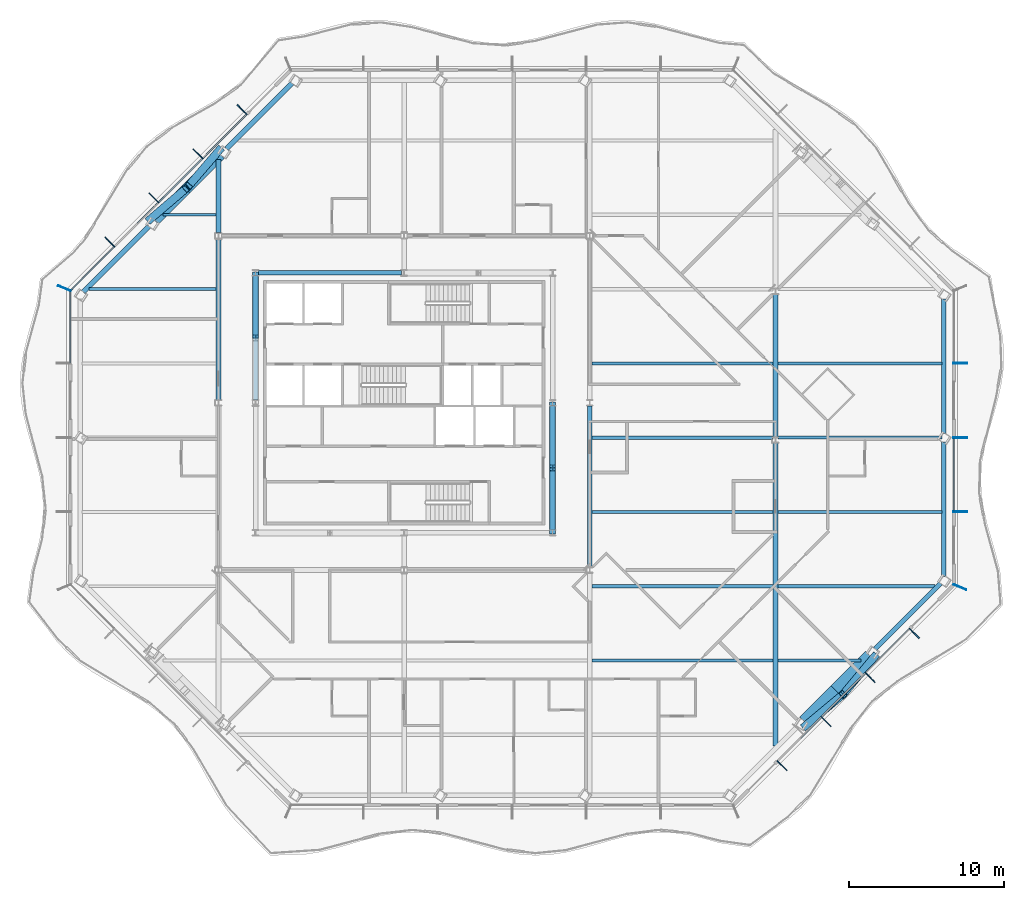
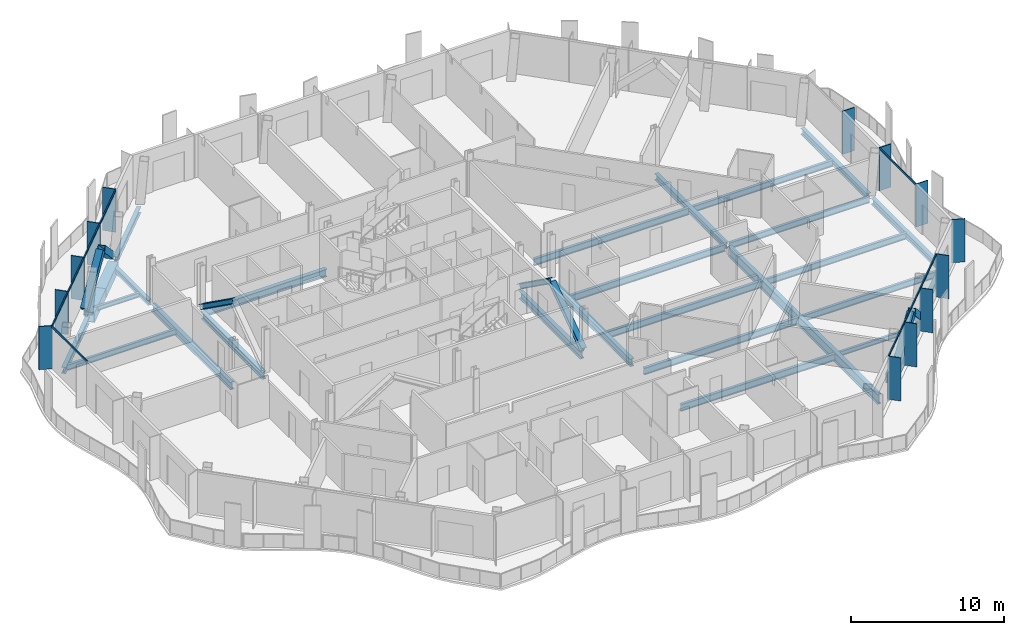
# One storey, part 4 of 19: 29 beams, 29 members, 4 elements without a shape of their own.
"""IFC4 building model written with IfcOpenShell, lengths in metres."""

from ifc_helpers import new_model, si_unit, direction, frame, origin, origin_2d, place, context, subcontext, project, spatial, rectangle, hollow_rectangle, i_section, extrude, material, material_profile, profile_set, type_object, element, aggregate, save


model = new_model("IFC4")

# Units and contexts
model_context = context("Model", 3, precision=1e-05, world=origin(), true_north=direction((0.0, 1.0)))
body_context = subcontext(model_context, "Body", "Model", "MODEL_VIEW")
ifc_project = project(units=[si_unit("LENGTHUNIT", "METRE"), si_unit("AREAUNIT", "SQUARE_METRE"), si_unit("VOLUMEUNIT", "CUBIC_METRE"), si_unit("PLANEANGLEUNIT", "RADIAN"), si_unit("MASSUNIT", "GRAM", prefix="KILO")], contexts=[model_context])

# Site, building, storey
site_placement = place(None, origin())
site = spatial("IfcSite", under=ifc_project, at=site_placement, CompositionType="ELEMENT")
building_placement = place(site_placement, origin())
building = spatial("IfcBuilding", under=site, at=building_placement, Name="Cairn Pilgrim Tower", CompositionType="ELEMENT")
storey_placement = place(building_placement, frame((0.0, 0.0, 197.39990234375)))
storey = spatial("IfcBuildingStorey", under=building, at=storey_placement, Name="L50", CompositionType="ELEMENT", Elevation=197.39990234375)

# Members
ifc_material_1 = material(Name="Structural steel S460M", Category="steel")
ifc_material_profile_1 = material_profile(ifc_material_1, hollow_rectangle(XDim=0.5, YDim=0.5, WallThickness=0.030029296875, at=origin_2d()), Name="BOX 500x500x30")
ifc_profile_set_1 = profile_set([ifc_material_profile_1], Name="Structural steel S460M")
member_type_1 = type_object("IfcMemberType", Name="BOX 500x500x30 BRACE", PredefinedType="BRACE", material=ifc_profile_set_1)
for number, where, z_axis, x_axis, name in (
    (1, (33.091552734375, -18.506103515625, 0.150146484375), (0.583843736735, 0.486305176241, 0.65010288927), (-0.640004756567, 0.768370946595, 0.0), "XB-SE2-SE3-1"),
    (2, (37.631103515625, -13.966552734375, 0.150146484375), (-0.486305176241, -0.583843736735, 0.65010288927), (0.768370946595, -0.640004756567, 0.0), "XB-SE2-SE3-2"),
):
    element("IfcMember", number, at=place(storey_placement, frame(where, z_axis=z_axis, x_axis=x_axis)), inside=storey, type_object=member_type_1, Name=name, PredefinedType="BRACE", context=body_context, shape_type="SweptSolid", body=[
        extrude(hollow_rectangle(XDim=0.5, YDim=0.5, WallThickness=0.030029296875, at=origin_2d()), origin(), (0.0, 0.0, 1.0), 4.22265625),
    ])
member_1_placement = place(storey_placement, frame((-4.705078125, 18.78125, 0.146728515625), z_axis=(-0.494500983909, -0.576967254771, 0.650059661751), x_axis=(0.759284157741, -0.650759224141, 0.0)))
element("IfcMember", 3, at=member_1_placement, inside=storey, type_object=member_type_1, Name="XB-NW2-NW3-1", PredefinedType="BRACE", context=body_context, shape_type="SweptSolid", body=[
    extrude(hollow_rectangle(XDim=0.5, YDim=0.5, WallThickness=0.030029296875, at=origin_2d()), origin(), (0.0, 0.0, 1.0), 4.114990234375),
])
member_2_placement = place(storey_placement, frame((-9.256103515625, 14.23193359375, 0.147216796875), z_axis=(0.577130262659, 0.494225277884, 0.65012463007), x_axis=(-0.650443975555, 0.759554234182, 0.0)))
element("IfcMember", 4, at=member_2_placement, inside=storey, type_object=member_type_1, Name="XB-NW2-NW3-2", PredefinedType="BRACE", context=body_context, shape_type="SweptSolid", body=[
    extrude(hollow_rectangle(XDim=0.5, YDim=0.5, WallThickness=0.030029296875, at=origin_2d()), origin(), (0.0, 0.0, 1.0), 4.114013671875),
])

# Beams
ifc_material_2 = material(Name="Structural steel S355J2", Category="steel")
ifc_material_profile_2 = material_profile(ifc_material_2, hollow_rectangle(XDim=0.699951171875, YDim=0.800048828125, WallThickness=0.0400390625, at=origin_2d()), Name="BOX 700x800x40")
ifc_profile_set_2 = profile_set([ifc_material_profile_2], Name="Structural steel S355J2")
beam_type_1 = type_object("IfcBeamType", Name="BOX 700x800x40 RING GIRDER", PredefinedType="SPANDREL", material=ifc_profile_set_2)
beam_1_placement = place(storey_placement, frame((33.017333984375, -18.134765625, -0.5498046875), z_axis=(0.707149752034, 0.707063807728, 0.0), x_axis=(-0.707063807728, 0.707149752034, 0.0)))
element("IfcBeam", 5, at=beam_1_placement, inside=storey, type_object=beam_type_1, Name="RG2-SE2-SE3-1", PredefinedType="SPANDREL", context=body_context, shape_type="SweptSolid", body=[
    extrude(hollow_rectangle(XDim=0.699951171875, YDim=0.800048828125, WallThickness=0.0400390625, at=origin_2d()), origin(), (0.0, 0.0, 1.0), 2.840576171875),
])
for number, where, z_axis, x_axis, name in (
    (6, (35.026123046875, -16.126220703125, -0.5498046875), (0.707068138304, 0.707145421957, 0.0), (-0.707145421957, 0.707068138304, 0.0), "RG2-SE2-SE3-2"),
    (7, (-4.66748046875, 18.434814453125, -0.5498046875), (-0.707106781187, -0.707106781187, 0.0), (0.707106781187, -0.707106781187, 0.0), "RG2-NW2-NW3-1"),
):
    element("IfcBeam", number, at=place(storey_placement, frame(where, z_axis=z_axis, x_axis=x_axis)), inside=storey, type_object=beam_type_1, Name=name, PredefinedType="SPANDREL", context=body_context, shape_type="SweptSolid", body=[
        extrude(hollow_rectangle(XDim=0.699951171875, YDim=0.800048828125, WallThickness=0.0400390625, at=origin_2d()), origin(), (0.0, 0.0, 1.0), 3.158935546875),
    ])
beam_2_placement = place(storey_placement, frame((-6.901123046875, 16.201171875, -0.5498046875), z_axis=(-0.707106781187, -0.707106781187, 0.0), x_axis=(0.707106781187, -0.707106781187, 0.0)))
element("IfcBeam", 8, at=beam_2_placement, inside=storey, type_object=beam_type_1, Name="RG2-NW2-NW3-2", PredefinedType="SPANDREL", context=body_context, shape_type="SweptSolid", body=[
    extrude(hollow_rectangle(XDim=0.699951171875, YDim=0.800048828125, WallThickness=0.0400390625, at=origin_2d()), origin(), (0.0, 0.0, 1.0), 2.8408203125),
])

# Curtain wall, members
ifc_material_3 = material(Name="Aluminium alloy 6063-T6 bronze anodised with Bronze tinted laminated low-E glass 8+16+8.8", Category="aluminium")
curtain_wall_type_1 = type_object("IfcCurtainWallType", Name="CHAMFER CORNER CURTAIN WALL", PredefinedType="NOTDEFINED", material=ifc_material_3)
curtain_wall_1_placement = place(storey_placement, origin())
curtain_wall_1 = element("IfcCurtainWall", 9, at=curtain_wall_1_placement, inside=storey, type_object=curtain_wall_type_1, Name="Chamfer Corner Curtain Wall SE", PredefinedType="NOTDEFINED")
ifc_material_4 = material(Name="Aluminium alloy 6063-T6 bronze anodised", Category="aluminium")
ifc_material_profile_3 = material_profile(ifc_material_4, rectangle(XDim=0.89990234375, YDim=0.06005859375, at=origin_2d()), Name="FIN MULLION 60x900 BRONZE")
ifc_profile_set_3 = profile_set([ifc_material_profile_3], Name="Aluminium alloy 6063-T6 bronze anodised")
member_type_2 = type_object("IfcMemberType", Name="FIN MULLION 60x900 BRONZE", PredefinedType="MULLION", material=ifc_profile_set_3)
member_3_placement = place(storey_placement, frame((31.619140625, -21.04638671875, 0.0), z_axis=(0.0, 0.0, 1.0), x_axis=(0.707106781187, -0.707106781187, 0.0)))
member_3 = element("IfcMember", 10, at=member_3_placement, type_object=member_type_2, Name="Fin mullion SE2", PredefinedType="MULLION", context=body_context, shape_type="SweptSolid", body=[
    extrude(rectangle(XDim=0.89990234375, YDim=0.06005859375, at=origin_2d()), origin(), (0.0, 0.0, 1.0), 3.4501953125),
])
member_4_placement = place(storey_placement, frame((34.469970703125, -18.195556640625, 0.0), z_axis=(0.0, 0.0, 1.0), x_axis=(0.707106781187, -0.707106781187, 0.0)))
member_4 = element("IfcMember", 11, at=member_4_placement, type_object=member_type_2, Name="Fin mullion SE3", PredefinedType="MULLION", context=body_context, shape_type="SweptSolid", body=[
    extrude(rectangle(XDim=0.89990234375, YDim=0.06005859375, at=origin_2d()), origin(), (0.0, 0.0, 1.0), 3.4501953125),
])
member_5_placement = place(storey_placement, frame((37.320556640625, -15.344970703125, 0.0), z_axis=(0.0, 0.0, 1.0), x_axis=(0.707106781187, -0.707106781187, 0.0)))
member_5 = element("IfcMember", 12, at=member_5_placement, type_object=member_type_2, Name="Fin mullion SE4", PredefinedType="MULLION", context=body_context, shape_type="SweptSolid", body=[
    extrude(rectangle(XDim=0.89990234375, YDim=0.06005859375, at=origin_2d()), origin(), (0.0, 0.0, 1.0), 3.4501953125),
])
member_6_placement = place(storey_placement, frame((40.17138671875, -12.494140625, 0.0), z_axis=(0.0, 0.0, 1.0), x_axis=(0.707106781187, -0.707106781187, 0.0)))
member_6 = element("IfcMember", 13, at=member_6_placement, type_object=member_type_2, Name="Fin mullion SE5", PredefinedType="MULLION", context=body_context, shape_type="SweptSolid", body=[
    extrude(rectangle(XDim=0.89990234375, YDim=0.06005859375, at=origin_2d()), origin(), (0.0, 0.0, 1.0), 3.4501953125),
])

curtain_wall_type_2 = type_object("IfcCurtainWallType", Name="TOWER STICK CURTAIN WALL EW", PredefinedType="NOTDEFINED", material=ifc_material_3)
curtain_wall_2_placement = place(storey_placement, origin())
curtain_wall_2 = element("IfcCurtainWall", 14, at=curtain_wall_2_placement, inside=storey, type_object=curtain_wall_type_2, Name="Tower Stick Curtain Wall Ew E", PredefinedType="NOTDEFINED")
member_7_placement = place(storey_placement, frame((43.113037109375, -9.507080078125, 0.0), z_axis=(0.0, 0.0, 1.0), x_axis=(0.923879532511, -0.382683432365, 0.0)))
member_7 = element("IfcMember", 15, at=member_7_placement, type_object=member_type_2, Name="Fin mullion E1", PredefinedType="MULLION", context=body_context, shape_type="SweptSolid", body=[
    extrude(rectangle(XDim=0.89990234375, YDim=0.06005859375, at=origin_2d()), origin(), (0.0, 0.0, 1.0), 3.4501953125),
])
member_8_placement = place(storey_placement, frame((43.14501953125, -4.64990234375, 0.0), z_axis=(0.0, 0.0, 1.0), x_axis=(1.0, 0.0, 0.0)))
member_8 = element("IfcMember", 16, at=member_8_placement, type_object=member_type_2, Name="Fin mullion E2", PredefinedType="MULLION", context=body_context, shape_type="SweptSolid", body=[
    extrude(rectangle(XDim=0.89990234375, YDim=0.06005859375, at=origin_2d()), origin(), (0.0, 0.0, 1.0), 3.4501953125),
])
member_9_placement = place(storey_placement, frame((43.14501953125, 0.14990234375, 0.0), z_axis=(0.0, 0.0, 1.0), x_axis=(1.0, 0.0, 0.0)))
member_9 = element("IfcMember", 17, at=member_9_placement, type_object=member_type_2, Name="Fin mullion E3", PredefinedType="MULLION", context=body_context, shape_type="SweptSolid", body=[
    extrude(rectangle(XDim=0.89990234375, YDim=0.06005859375, at=origin_2d()), origin(), (0.0, 0.0, 1.0), 3.4501953125),
])
member_10_placement = place(storey_placement, frame((43.14501953125, 4.949951171875, 0.0), z_axis=(0.0, 0.0, 1.0), x_axis=(1.0, 0.0, 0.0)))
member_10 = element("IfcMember", 18, at=member_10_placement, type_object=member_type_2, Name="Fin mullion E4", PredefinedType="MULLION", context=body_context, shape_type="SweptSolid", body=[
    extrude(rectangle(XDim=0.89990234375, YDim=0.06005859375, at=origin_2d()), origin(), (0.0, 0.0, 1.0), 3.4501953125),
])

curtain_wall_3_placement = place(storey_placement, origin())
curtain_wall_3 = element("IfcCurtainWall", 19, at=curtain_wall_3_placement, inside=storey, type_object=curtain_wall_type_1, Name="Chamfer Corner Curtain Wall NW", PredefinedType="NOTDEFINED")
member_11_placement = place(storey_placement, frame((-3.26904296875, 21.34619140625, 0.0), z_axis=(0.0, 0.0, 1.0), x_axis=(-0.707106781187, 0.707106781187, 0.0)))
member_11 = element("IfcMember", 20, at=member_11_placement, type_object=member_type_2, Name="Fin mullion NW2", PredefinedType="MULLION", context=body_context, shape_type="SweptSolid", body=[
    extrude(rectangle(XDim=0.89990234375, YDim=0.06005859375, at=origin_2d()), origin(), (0.0, 0.0, 1.0), 3.4501953125),
])
member_12_placement = place(storey_placement, frame((-6.119873046875, 18.49560546875, 0.0), z_axis=(0.0, 0.0, 1.0), x_axis=(-0.707106781187, 0.707106781187, 0.0)))
member_12 = element("IfcMember", 21, at=member_12_placement, type_object=member_type_2, Name="Fin mullion NW3", PredefinedType="MULLION", context=body_context, shape_type="SweptSolid", body=[
    extrude(rectangle(XDim=0.89990234375, YDim=0.06005859375, at=origin_2d()), origin(), (0.0, 0.0, 1.0), 3.4501953125),
])
member_13_placement = place(storey_placement, frame((-8.970458984375, 15.644775390625, 0.0), z_axis=(0.0, 0.0, 1.0), x_axis=(-0.707106781187, 0.707106781187, 0.0)))
member_13 = element("IfcMember", 22, at=member_13_placement, type_object=member_type_2, Name="Fin mullion NW4", PredefinedType="MULLION", context=body_context, shape_type="SweptSolid", body=[
    extrude(rectangle(XDim=0.89990234375, YDim=0.06005859375, at=origin_2d()), origin(), (0.0, 0.0, 1.0), 3.4501953125),
])
member_14_placement = place(storey_placement, frame((-11.8212890625, 12.794189453125, 0.0), z_axis=(0.0, 0.0, 1.0), x_axis=(-0.707106781187, 0.707106781187, 0.0)))
member_14 = element("IfcMember", 23, at=member_14_placement, type_object=member_type_2, Name="Fin mullion NW5", PredefinedType="MULLION", context=body_context, shape_type="SweptSolid", body=[
    extrude(rectangle(XDim=0.89990234375, YDim=0.06005859375, at=origin_2d()), origin(), (0.0, 0.0, 1.0), 3.4501953125),
])

# Curtain wall, member
curtain_wall_4_placement = place(storey_placement, origin())
curtain_wall_4 = element("IfcCurtainWall", 24, at=curtain_wall_4_placement, inside=storey, type_object=curtain_wall_type_2, Name="Tower Stick Curtain Wall Ew W", PredefinedType="NOTDEFINED")
member_15_placement = place(storey_placement, frame((-14.762939453125, 9.80712890625, 0.0), z_axis=(0.0, 0.0, 1.0), x_axis=(-0.923879532511, 0.382683432365, 0.0)))
member_15 = element("IfcMember", 25, at=member_15_placement, type_object=member_type_2, Name="Fin mullion W1", PredefinedType="MULLION", context=body_context, shape_type="SweptSolid", body=[
    extrude(rectangle(XDim=0.89990234375, YDim=0.06005859375, at=origin_2d()), origin(), (0.0, 0.0, 1.0), 3.4501953125),
])

# Members
ifc_material_profile_4 = material_profile(ifc_material_2, i_section(OverallWidth=0.39794921875, OverallDepth=0.386962890625, WebThickness=0.02099609375, FlangeThickness=0.033203125, FilletRadius=0.014892578125, at=origin_2d()), Name="HD 400x262")
ifc_profile_set_4 = profile_set([ifc_material_profile_4], Name="Structural steel S355J2")
member_type_3 = type_object("IfcMemberType", Name="HD 400x262 BRACE", PredefinedType="BRACE", material=ifc_profile_set_4)
member_16_placement = place(storey_placement, frame((16.800048828125, -5.959716796875, 0.10009765625), z_axis=(0.0, 0.814429122825, 0.580263047155), x_axis=(-1.0, 0.0, 0.0)))
element("IfcMember", 26, at=member_16_placement, inside=storey, type_object=member_type_3, Name="KB-2A", PredefinedType="BRACE", context=body_context, shape_type="SweptSolid", body=[
    extrude(i_section(OverallWidth=0.39794921875, OverallDepth=0.386962890625, WebThickness=0.02099609375, FlangeThickness=0.033203125, FilletRadius=0.014892578125, at=origin_2d()), origin(), (0.0, 0.0, 1.0), 4.999267578125),
])
for number, where, z_axis, x_axis, name in (
    (27, (16.800048828125, 2.359619140625, 0.10009765625), (0.0, -0.814412678688, 0.580286126659), (1.0, 0.0, 0.0), "KB-2B"),
    (28, (-2.39990234375, 10.759521484375, 0.10009765625), (0.0, -0.814412678688, 0.580286126659), (1.0, 0.0, 0.0), "KB-4A"),
):
    element("IfcMember", number, at=place(storey_placement, frame(where, z_axis=z_axis, x_axis=x_axis)), inside=storey, type_object=member_type_3, Name=name, PredefinedType="BRACE", context=body_context, shape_type="SweptSolid", body=[
        extrude(i_section(OverallWidth=0.39794921875, OverallDepth=0.386962890625, WebThickness=0.02099609375, FlangeThickness=0.033203125, FilletRadius=0.014892578125, at=origin_2d()), origin(), (0.0, 0.0, 1.0), 4.9990234375),
    ])

# Beams
ifc_material_profile_5 = material_profile(ifc_material_2, i_section(OverallWidth=0.300048828125, OverallDepth=0.39990234375, WebThickness=0.013427734375, FlangeThickness=0.02392578125, FilletRadius=0.027099609375, at=origin_2d()), Name="HEB 400")
ifc_profile_set_5 = profile_set([ifc_material_profile_5], Name="Structural steel S355J2")
beam_type_2 = type_object("IfcBeamType", Name="HEB 400 GIRDER", PredefinedType="BEAM", material=ifc_profile_set_5)
beam_3_placement = place(storey_placement, frame((-4.800048828125, 13.3994140625, -0.349853515625), z_axis=(0.0, 1.0, 0.0), x_axis=(-1.0, 0.0, 0.0)))
element("IfcBeam", 29, at=beam_3_placement, inside=storey, type_object=beam_type_2, Name="PG2-4", PredefinedType="BEAM", context=body_context, shape_type="SweptSolid", body=[
    extrude(i_section(OverallWidth=0.300048828125, OverallDepth=0.39990234375, WebThickness=0.013427734375, FlangeThickness=0.02392578125, FilletRadius=0.027099609375, at=origin_2d()), origin(), (0.0, 0.0, 1.0), 4.720703125),
])
ifc_material_profile_6 = material_profile(ifc_material_2, i_section(OverallWidth=0.300048828125, OverallDepth=0.5, WebThickness=0.014404296875, FlangeThickness=0.028076171875, FilletRadius=0.027099609375, at=origin_2d()), Name="HEB 500")
ifc_profile_set_6 = profile_set([ifc_material_profile_6], Name="Structural steel S355J2")
beam_type_3 = type_object("IfcBeamType", Name="HEB 500 GIRDER", PredefinedType="BEAM", material=ifc_profile_set_6)
beam_4_placement = place(storey_placement, frame((31.199951171875, 0.20458984375, -0.39990234375), z_axis=(0.0, 1.0, 0.0), x_axis=(-1.0, 0.0, 0.0)))
element("IfcBeam", 30, at=beam_4_placement, inside=storey, type_object=beam_type_3, Name="PG5-2", PredefinedType="BEAM", context=body_context, shape_type="SweptSolid", body=[
    extrude(i_section(OverallWidth=0.300048828125, OverallDepth=0.5, WebThickness=0.014404296875, FlangeThickness=0.028076171875, FilletRadius=0.027099609375, at=origin_2d()), origin(), (0.0, 0.0, 1.0), 9.19091796875),
])
ifc_material_profile_7 = material_profile(ifc_material_2, i_section(OverallWidth=0.300048828125, OverallDepth=0.5, WebThickness=0.014404296875, FlangeThickness=0.028076171875, FilletRadius=0.027099609375, at=origin_2d()), Name="HEB 500")
ifc_profile_set_7 = profile_set([ifc_material_profile_7], Name="Structural steel S355J2")
beam_type_4 = type_object("IfcBeamType", Name="HEB 500 RING GIRDER", PredefinedType="SPANDREL", material=ifc_profile_set_7)
beam_5_placement = place(storey_placement, frame((37.6416015625, -13.510498046875, -0.39990234375), z_axis=(0.707106781187, 0.707106781187, 0.0), x_axis=(-0.707106781187, 0.707106781187, 0.0)))
element("IfcBeam", 31, at=beam_5_placement, inside=storey, type_object=beam_type_4, Name="RG2-SE3-E1", PredefinedType="SPANDREL", context=body_context, shape_type="SweptSolid", body=[
    extrude(i_section(OverallWidth=0.300048828125, OverallDepth=0.5, WebThickness=0.014404296875, FlangeThickness=0.028076171875, FilletRadius=0.027099609375, at=origin_2d()), origin(), (0.0, 0.0, 1.0), 5.999755859375),
])
beam_6_placement = place(storey_placement, frame((42.074951171875, -8.80712890625, -0.39990234375), z_axis=(0.0, 1.0, 0.0), x_axis=(-1.0, 0.0, 0.0)))
element("IfcBeam", 32, at=beam_6_placement, inside=storey, type_object=beam_type_4, Name="RG2-E1-E2", PredefinedType="SPANDREL", context=body_context, shape_type="SweptSolid", body=[
    extrude(i_section(OverallWidth=0.300048828125, OverallDepth=0.5, WebThickness=0.014404296875, FlangeThickness=0.028076171875, FilletRadius=0.027099609375, at=origin_2d()), origin(), (0.0, 0.0, 1.0), 8.68701171875),
])
beam_7_placement = place(storey_placement, frame((42.074951171875, 0.419921875, -0.39990234375), z_axis=(0.0, 1.0, 0.0), x_axis=(-1.0, 0.0, 0.0)))
element("IfcBeam", 33, at=beam_7_placement, inside=storey, type_object=beam_type_4, Name="RG2-E2-NE1", PredefinedType="SPANDREL", context=body_context, shape_type="SweptSolid", body=[
    extrude(i_section(OverallWidth=0.300048828125, OverallDepth=0.5, WebThickness=0.014404296875, FlangeThickness=0.028076171875, FilletRadius=0.027099609375, at=origin_2d()), origin(), (0.0, 0.0, 1.0), 8.687255859375),
])
for number, where, z_axis, x_axis, name in (
    (34, (-0.043212890625, 23.05908203125, -0.39990234375), (-0.707106781187, -0.707106781187, 0.0), (0.707106781187, -0.707106781187, 0.0), "RG2-NW1-NW2"),
    (35, (-9.291748046875, 13.810546875, -0.39990234375), (-0.707106781187, -0.707106781187, 0.0), (0.707106781187, -0.707106781187, 0.0), "RG2-NW3-W1"),
):
    element("IfcBeam", number, at=place(storey_placement, frame(where, z_axis=z_axis, x_axis=x_axis)), inside=storey, type_object=beam_type_4, Name=name, PredefinedType="SPANDREL", context=body_context, shape_type="SweptSolid", body=[
        extrude(i_section(OverallWidth=0.300048828125, OverallDepth=0.5, WebThickness=0.014404296875, FlangeThickness=0.028076171875, FilletRadius=0.027099609375, at=origin_2d()), origin(), (0.0, 0.0, 1.0), 5.999755859375),
    ])
ifc_material_profile_8 = material_profile(ifc_material_2, i_section(OverallWidth=0.300048828125, OverallDepth=0.60009765625, WebThickness=0.015380859375, FlangeThickness=0.030029296875, FilletRadius=0.027099609375, at=origin_2d()), Name="HEB 600")
ifc_profile_set_8 = profile_set([ifc_material_profile_8], Name="Structural steel S355J2")
beam_type_5 = type_object("IfcBeamType", Name="HEB 600 CORE BEAM", PredefinedType="BEAM", material=ifc_profile_set_8)
beam_8_placement = place(storey_placement, frame((16.800048828125, -5.818115234375, -0.449951171875), z_axis=(0.0, 1.0, 0.0), x_axis=(-1.0, 0.0, 0.0)))
element("IfcBeam", 36, at=beam_8_placement, inside=storey, type_object=beam_type_5, Name="CB-3", PredefinedType="BEAM", context=body_context, shape_type="SweptSolid", body=[
    extrude(i_section(OverallWidth=0.300048828125, OverallDepth=0.60009765625, WebThickness=0.015380859375, FlangeThickness=0.030029296875, FilletRadius=0.027099609375, at=origin_2d()), origin(), (0.0, 0.0, 1.0), 8.036376953125),
])
beam_9_placement = place(storey_placement, frame((7.018310546875, 10.800048828125, -0.449951171875), z_axis=(-1.0, 0.0, 0.0), x_axis=(0.0, -1.0, 0.0)))
element("IfcBeam", 37, at=beam_9_placement, inside=storey, type_object=beam_type_5, Name="CB-6", PredefinedType="BEAM", context=body_context, shape_type="SweptSolid", body=[
    extrude(i_section(OverallWidth=0.300048828125, OverallDepth=0.60009765625, WebThickness=0.015380859375, FlangeThickness=0.030029296875, FilletRadius=0.027099609375, at=origin_2d()), origin(), (0.0, 0.0, 1.0), 9.236572265625),
])
beam_10_placement = place(storey_placement, frame((-2.39990234375, 10.6181640625, -0.449951171875), z_axis=(0.0, -1.0, 0.0), x_axis=(1.0, 0.0, 0.0)))
element("IfcBeam", 38, at=beam_10_placement, inside=storey, type_object=beam_type_5, Name="CB-7", PredefinedType="BEAM", context=body_context, shape_type="SweptSolid", body=[
    extrude(i_section(OverallWidth=0.300048828125, OverallDepth=0.60009765625, WebThickness=0.015380859375, FlangeThickness=0.030029296875, FilletRadius=0.027099609375, at=origin_2d()), origin(), (0.0, 0.0, 1.0), 8.036376953125),
])
ifc_material_profile_9 = material_profile(ifc_material_2, i_section(OverallWidth=0.300048828125, OverallDepth=0.60009765625, WebThickness=0.015380859375, FlangeThickness=0.030029296875, FilletRadius=0.027099609375, at=origin_2d()), Name="HEB 600")
ifc_profile_set_9 = profile_set([ifc_material_profile_9], Name="Structural steel S355J2")
beam_type_6 = type_object("IfcBeamType", Name="HEB 600 GIRDER", PredefinedType="BEAM", material=ifc_profile_set_9)
for number, where, z_axis, x_axis, name in (
    (39, (-4.800048828125, 2.599609375, -0.449951171875), (0.0, 1.0, 0.0), (-1.0, 0.0, 0.0), "PG2-3"),
    (40, (19.199951171875, -8.200439453125, -0.449951171875), (0.0, 1.0, 0.0), (-1.0, 0.0, 0.0), "PG4-2"),
):
    element("IfcBeam", number, at=place(storey_placement, frame(where, z_axis=z_axis, x_axis=x_axis)), inside=storey, type_object=beam_type_6, Name=name, PredefinedType="BEAM", context=body_context, shape_type="SweptSolid", body=[
        extrude(i_section(OverallWidth=0.300048828125, OverallDepth=0.60009765625, WebThickness=0.015380859375, FlangeThickness=0.030029296875, FilletRadius=0.027099609375, at=origin_2d()), origin(), (0.0, 0.0, 1.0), 10.40087890625),
    ])
ifc_material_profile_10 = material_profile(ifc_material_2, i_section(OverallWidth=0.300048828125, OverallDepth=0.800048828125, WebThickness=0.017578125, FlangeThickness=0.032958984375, FilletRadius=0.030029296875, at=origin_2d()), Name="HEB 800")
ifc_profile_set_10 = profile_set([ifc_material_profile_10], Name="Structural steel S355J2")
beam_type_7 = type_object("IfcBeamType", Name="HEB 800 GIRDER", PredefinedType="BEAM", material=ifc_profile_set_10)
beam_11_placement = place(storey_placement, frame((31.199951171875, -19.77001953125, -0.5498046875), z_axis=(0.0, 1.0, 0.0), x_axis=(-1.0, 0.0, 0.0)))
element("IfcBeam", 41, at=beam_11_placement, inside=storey, type_object=beam_type_7, Name="PG5-1", PredefinedType="BEAM", context=body_context, shape_type="SweptSolid", body=[
    extrude(i_section(OverallWidth=0.300048828125, OverallDepth=0.800048828125, WebThickness=0.017578125, FlangeThickness=0.032958984375, FilletRadius=0.030029296875, at=origin_2d()), origin(), (0.0, 0.0, 1.0), 19.5654296875),
])
ifc_material_profile_11 = material_profile(ifc_material_2, i_section(OverallWidth=0.169921875, OverallDepth=0.360107421875, WebThickness=0.008056640625, FlangeThickness=0.0126953125, FilletRadius=0.01806640625, at=origin_2d()), Name="IPE 360")
ifc_profile_set_11 = profile_set([ifc_material_profile_11], Name="Structural steel S355J2")
beam_type_8 = type_object("IfcBeamType", Name="IPE 360 SECONDARY BEAM", PredefinedType="JOIST", material=ifc_profile_set_11)
beam_12_placement = place(storey_placement, frame((31.35009765625, -14.25, -0.329833984375), z_axis=(1.0, 0.0, 0.0), x_axis=(0.0, 1.0, 0.0)))
element("IfcBeam", 42, at=beam_12_placement, inside=storey, type_object=beam_type_8, Name="SB2-5", PredefinedType="JOIST", context=body_context, shape_type="SweptSolid", body=[
    extrude(i_section(OverallWidth=0.169921875, OverallDepth=0.360107421875, WebThickness=0.008056640625, FlangeThickness=0.0126953125, FilletRadius=0.01806640625, at=origin_2d()), origin(), (0.0, 0.0, 1.0), 5.3701171875),
])
beam_13_placement = place(storey_placement, frame((-8.3701171875, 14.550048828125, -0.329833984375), z_axis=(1.0, 0.0, 0.0), x_axis=(0.0, 1.0, 0.0)))
element("IfcBeam", 43, at=beam_13_placement, inside=storey, type_object=beam_type_8, Name="SB8-1", PredefinedType="JOIST", context=body_context, shape_type="SweptSolid", body=[
    extrude(i_section(OverallWidth=0.169921875, OverallDepth=0.360107421875, WebThickness=0.008056640625, FlangeThickness=0.0126953125, FilletRadius=0.01806640625, at=origin_2d()), origin(), (0.0, 0.0, 1.0), 3.420166015625),
])
ifc_material_profile_12 = material_profile(ifc_material_2, i_section(OverallWidth=0.18994140625, OverallDepth=0.449951171875, WebThickness=0.009521484375, FlangeThickness=0.0146484375, FilletRadius=0.02099609375, at=origin_2d()), Name="IPE 450")
ifc_profile_set_12 = profile_set([ifc_material_profile_12], Name="Structural steel S355J2")
beam_type_9 = type_object("IfcBeamType", Name="IPE 450 SECONDARY BEAM", PredefinedType="JOIST", material=ifc_profile_set_12)
beam_14_placement = place(storey_placement, frame((-13.170166015625, 9.75, -0.375), z_axis=(1.0, 0.0, 0.0), x_axis=(0.0, 1.0, 0.0)))
element("IfcBeam", 44, at=beam_14_placement, inside=storey, type_object=beam_type_9, Name="SB7-1", PredefinedType="JOIST", context=body_context, shape_type="SweptSolid", body=[
    extrude(i_section(OverallWidth=0.18994140625, OverallDepth=0.449951171875, WebThickness=0.009521484375, FlangeThickness=0.0146484375, FilletRadius=0.02099609375, at=origin_2d()), origin(), (0.0, 0.0, 1.0), 8.22021484375),
])
ifc_material_profile_13 = material_profile(ifc_material_2, i_section(OverallWidth=0.199951171875, OverallDepth=0.5, WebThickness=0.01025390625, FlangeThickness=0.01611328125, FilletRadius=0.02099609375, at=origin_2d()), Name="IPE 500")
ifc_profile_set_13 = profile_set([ifc_material_profile_13], Name="Structural steel S355J2")
beam_type_10 = type_object("IfcBeamType", Name="IPE 500 SECONDARY BEAM", PredefinedType="JOIST", material=ifc_profile_set_13)
beam_15_placement = place(storey_placement, frame((31.35009765625, -9.449951171875, -0.39990234375), z_axis=(1.0, 0.0, 0.0), x_axis=(0.0, 1.0, 0.0)))
element("IfcBeam", 45, at=beam_15_placement, inside=storey, type_object=beam_type_10, Name="SB3-3", PredefinedType="JOIST", context=body_context, shape_type="SweptSolid", body=[
    extrude(i_section(OverallWidth=0.199951171875, OverallDepth=0.5, WebThickness=0.01025390625, FlangeThickness=0.01611328125, FilletRadius=0.02099609375, at=origin_2d()), origin(), (0.0, 0.0, 1.0), 10.169921875),
])
for number, where, z_axis, x_axis, name in (
    (46, (31.35009765625, -4.64990234375, -0.39990234375), (1.0, 0.0, 0.0), (0.0, 1.0, 0.0), "SB4-3"),
    (47, (31.35009765625, 0.14990234375, -0.39990234375), (1.0, 0.0, 0.0), (0.0, 1.0, 0.0), "SB5-3"),
    (48, (31.35009765625, 4.949951171875, -0.39990234375), (1.0, 0.0, 0.0), (0.0, 1.0, 0.0), "SB6-3"),
):
    element("IfcBeam", number, at=place(storey_placement, frame(where, z_axis=z_axis, x_axis=x_axis)), inside=storey, type_object=beam_type_10, Name=name, PredefinedType="JOIST", context=body_context, shape_type="SweptSolid", body=[
        extrude(i_section(OverallWidth=0.199951171875, OverallDepth=0.5, WebThickness=0.01025390625, FlangeThickness=0.01611328125, FilletRadius=0.02099609375, at=origin_2d()), origin(), (0.0, 0.0, 1.0), 10.60498046875),
    ])
ifc_material_profile_14 = material_profile(ifc_material_2, i_section(OverallWidth=0.2099609375, OverallDepth=0.550048828125, WebThickness=0.010986328125, FlangeThickness=0.01708984375, FilletRadius=0.02392578125, at=origin_2d()), Name="IPE 550")
ifc_profile_set_14 = profile_set([ifc_material_profile_14], Name="Structural steel S355J2")
beam_type_11 = type_object("IfcBeamType", Name="IPE 550 SECONDARY BEAM", PredefinedType="JOIST", material=ifc_profile_set_14)
for number, where, z_axis, x_axis, name in (
    (49, (19.35009765625, -14.25, -0.4248046875), (1.0, 0.0, 0.0), (0.0, 1.0, 0.0), "SB2-4"),
    (50, (19.35009765625, -9.449951171875, -0.4248046875), (1.0, 0.0, 0.0), (0.0, 1.0, 0.0), "SB3-2"),
    (51, (19.35009765625, -4.64990234375, -0.4248046875), (1.0, 0.0, 0.0), (0.0, 1.0, 0.0), "SB4-2"),
    (52, (19.35009765625, 0.14990234375, -0.4248046875), (1.0, 0.0, 0.0), (0.0, 1.0, 0.0), "SB5-2"),
    (53, (19.35009765625, 4.949951171875, -0.4248046875), (1.0, 0.0, 0.0), (0.0, 1.0, 0.0), "SB6-2"),
):
    element("IfcBeam", number, at=place(storey_placement, frame(where, z_axis=z_axis, x_axis=x_axis)), inside=storey, type_object=beam_type_11, Name=name, PredefinedType="JOIST", context=body_context, shape_type="SweptSolid", body=[
        extrude(i_section(OverallWidth=0.2099609375, OverallDepth=0.550048828125, WebThickness=0.010986328125, FlangeThickness=0.01708984375, FilletRadius=0.02392578125, at=origin_2d()), origin(), (0.0, 0.0, 1.0), 11.699951171875),
    ])

# Member
ifc_material_profile_15 = material_profile(ifc_material_4, rectangle(XDim=0.080078125, YDim=0.14990234375, at=origin_2d()), Name="TRANSOM 80x150 BRONZE")
ifc_profile_set_15 = profile_set([ifc_material_profile_15], Name="Aluminium alloy 6063-T6 bronze anodised")
member_type_4 = type_object("IfcMemberType", Name="TRANSOM 80x150 BRONZE", PredefinedType="USERDEFINED", material=ifc_profile_set_15)
member_17_placement = place(storey_placement, frame((31.34326171875, -20.72802734375, 3.375), z_axis=(0.707106781187, 0.707106781187, 0.0), x_axis=(-0.707106781187, 0.707106781187, 0.0)))
member_17 = element("IfcMember", 54, at=member_17_placement, type_object=member_type_4, Name="Transom SE2", ObjectType="TRANSOM", PredefinedType="USERDEFINED", context=body_context, shape_type="SweptSolid", body=[
    extrude(rectangle(XDim=0.080078125, YDim=0.14990234375, at=origin_2d()), origin(), (0.0, 0.0, 1.0), 3.9716796875),
])

member_18_placement = place(storey_placement, frame((34.194091796875, -17.87744140625, 3.375), z_axis=(0.707106781187, 0.707106781187, 0.0), x_axis=(-0.707106781187, 0.707106781187, 0.0)))
member_18 = element("IfcMember", 55, at=member_18_placement, type_object=member_type_4, Name="Transom SE3", ObjectType="TRANSOM", PredefinedType="USERDEFINED", context=body_context, shape_type="SweptSolid", body=[
    extrude(rectangle(XDim=0.080078125, YDim=0.14990234375, at=origin_2d()), origin(), (0.0, 0.0, 1.0), 3.9716796875),
])

member_19_placement = place(storey_placement, frame((37.044677734375, -15.026611328125, 3.375), z_axis=(0.707106781187, 0.707106781187, 0.0), x_axis=(-0.707106781187, 0.707106781187, 0.0)))
member_19 = element("IfcMember", 56, at=member_19_placement, type_object=member_type_4, Name="Transom SE4", ObjectType="TRANSOM", PredefinedType="USERDEFINED", context=body_context, shape_type="SweptSolid", body=[
    extrude(rectangle(XDim=0.080078125, YDim=0.14990234375, at=origin_2d()), origin(), (0.0, 0.0, 1.0), 3.9716796875),
])

aggregate(curtain_wall_1, [member_3, member_4, member_5, member_6, member_17, member_18, member_19])

member_20_placement = place(storey_placement, frame((42.72509765625, -4.6201171875, 3.375), z_axis=(0.0, 1.0, 0.0), x_axis=(-1.0, 0.0, 0.0)))
member_20 = element("IfcMember", 57, at=member_20_placement, type_object=member_type_4, Name="Transom E2", ObjectType="TRANSOM", PredefinedType="USERDEFINED", context=body_context, shape_type="SweptSolid", body=[
    extrude(rectangle(XDim=0.080078125, YDim=0.14990234375, at=origin_2d()), origin(), (0.0, 0.0, 1.0), 4.740234375),
])

aggregate(curtain_wall_2, [member_7, member_8, member_9, member_10, member_20])

member_21_placement = place(storey_placement, frame((-2.993408203125, 21.028076171875, 3.375), z_axis=(-0.707106781187, -0.707106781187, 0.0), x_axis=(0.707106781187, -0.707106781187, 0.0)))
member_21 = element("IfcMember", 58, at=member_21_placement, type_object=member_type_4, Name="Transom NW2", ObjectType="TRANSOM", PredefinedType="USERDEFINED", context=body_context, shape_type="SweptSolid", body=[
    extrude(rectangle(XDim=0.080078125, YDim=0.14990234375, at=origin_2d()), origin(), (0.0, 0.0, 1.0), 3.9716796875),
])

member_22_placement = place(storey_placement, frame((-5.843994140625, 18.17724609375, 3.375), z_axis=(-0.70713751761, -0.707076043427, 0.0), x_axis=(0.707076043427, -0.70713751761, 0.0)))
member_22 = element("IfcMember", 59, at=member_22_placement, type_object=member_type_4, Name="Transom NW3", ObjectType="TRANSOM", PredefinedType="USERDEFINED", context=body_context, shape_type="SweptSolid", body=[
    extrude(rectangle(XDim=0.080078125, YDim=0.14990234375, at=origin_2d()), origin(), (0.0, 0.0, 1.0), 3.971435546875),
])

member_23_placement = place(storey_placement, frame((-8.69482421875, 15.32666015625, 3.375), z_axis=(-0.707106781187, -0.707106781187, 0.0), x_axis=(0.707106781187, -0.707106781187, 0.0)))
member_23 = element("IfcMember", 60, at=member_23_placement, type_object=member_type_4, Name="Transom NW4", ObjectType="TRANSOM", PredefinedType="USERDEFINED", context=body_context, shape_type="SweptSolid", body=[
    extrude(rectangle(XDim=0.080078125, YDim=0.14990234375, at=origin_2d()), origin(), (0.0, 0.0, 1.0), 3.9716796875),
])

member_24_placement = place(storey_placement, frame((-11.54541015625, 12.475830078125, 3.375), z_axis=(-0.707137595296, -0.707075965734, 0.0), x_axis=(0.707075965734, -0.707137595296, 0.0)))
member_24 = element("IfcMember", 61, at=member_24_placement, type_object=member_type_4, Name="Transom NW5", ObjectType="TRANSOM", PredefinedType="USERDEFINED", context=body_context, shape_type="SweptSolid", body=[
    extrude(rectangle(XDim=0.080078125, YDim=0.14990234375, at=origin_2d()), origin(), (0.0, 0.0, 1.0), 3.96142578125),
])

aggregate(curtain_wall_3, [member_11, member_12, member_13, member_14, member_21, member_22, member_23, member_24])

member_25_placement = place(storey_placement, frame((-14.375, 9.6064453125, 3.375), z_axis=(0.0, -1.0, 0.0), x_axis=(1.0, 0.0, 0.0)))
member_25 = element("IfcMember", 62, at=member_25_placement, type_object=member_type_4, Name="Transom W1", ObjectType="TRANSOM", PredefinedType="USERDEFINED", context=body_context, shape_type="SweptSolid", body=[
    extrude(rectangle(XDim=0.080078125, YDim=0.14990234375, at=origin_2d()), origin(), (0.0, 0.0, 1.0), 4.62646484375),
])

aggregate(curtain_wall_4, [member_15, member_25])

save(model, "model.ifc")
